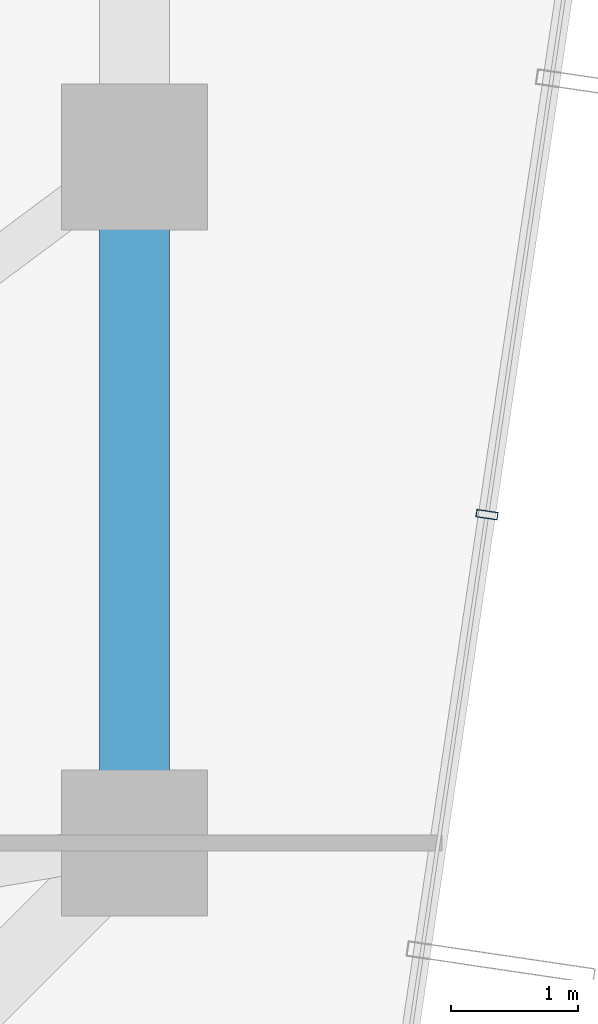
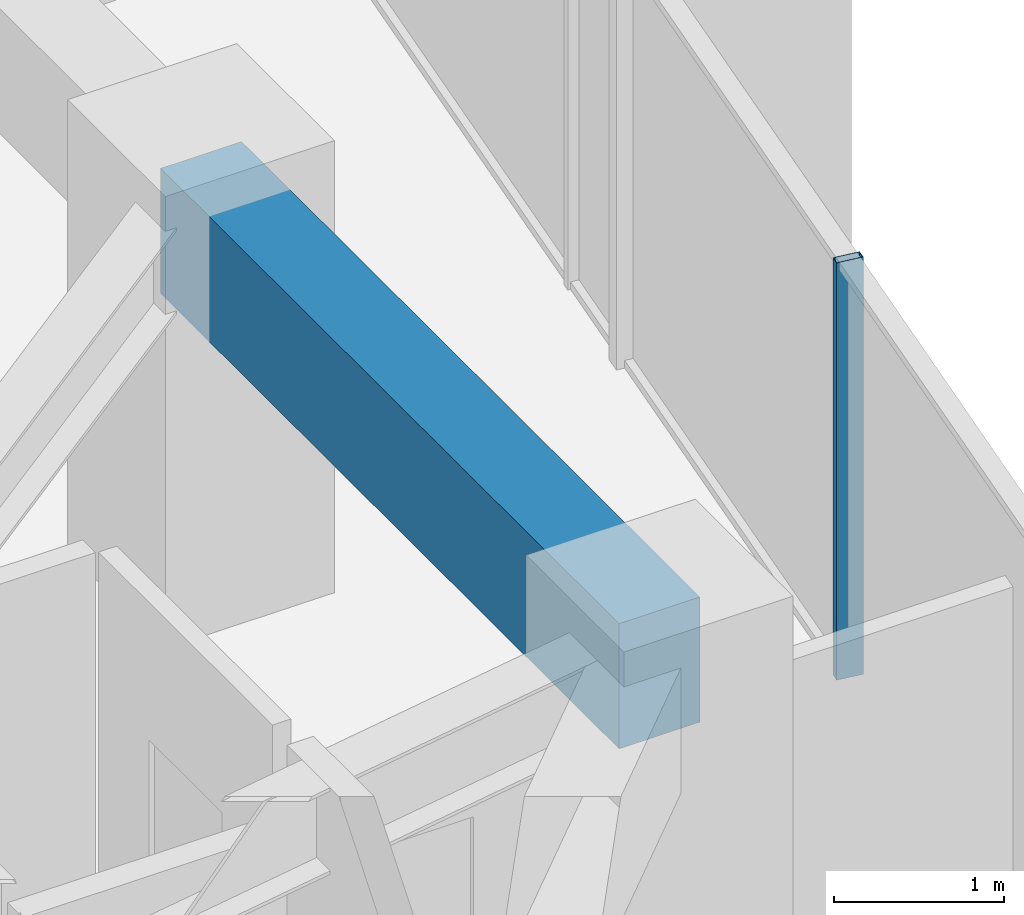
# One storey, part 15 of 29: 1 beam, 1 member, 1 element without a shape of its own.
"""IFC4 building model written with IfcOpenShell, lengths in metres."""

from ifc_helpers import new_model, si_unit, direction, frame, origin, origin_2d, place, context, subcontext, project, spatial, rectangle, hollow_rectangle, extrude, source, transform, mapped, material, layer, layer_set, material_profile, profile_set, type_object, element, aggregate, save


model = new_model("IFC4")

# Units and contexts
model_context = context("Model", 3, precision=1e-05, world=origin(), true_north=direction((0.0, 1.0)))
body_context = subcontext(model_context, "Body", "Model", "MODEL_VIEW")
ifc_project = project(units=[si_unit("LENGTHUNIT", "METRE"), si_unit("AREAUNIT", "SQUARE_METRE"), si_unit("VOLUMEUNIT", "CUBIC_METRE"), si_unit("PLANEANGLEUNIT", "RADIAN"), si_unit("MASSUNIT", "GRAM", prefix="KILO")], contexts=[model_context])

# Site, building, storey
site_placement = place(None, origin())
site = spatial("IfcSite", under=ifc_project, at=site_placement, CompositionType="ELEMENT")
building_placement = place(site_placement, origin())
building = spatial("IfcBuilding", under=site, at=building_placement, Name="Veraguas Prism Commons", CompositionType="ELEMENT")
storey_placement = place(building_placement, frame((0.0, 0.0, 99.199951171875)))
storey = spatial("IfcBuildingStorey", under=building, at=storey_placement, Name="L27", CompositionType="ELEMENT", Elevation=99.199951171875)

# Beam
ifc_material_1 = material(Name="Concrete C50/60", Category="concrete")
ifc_material_profile_1 = material_profile(ifc_material_1, rectangle(XDim=0.550048828125, YDim=0.89990234375, at=origin_2d()), Name="RC550X900")
ifc_profile_set_1 = profile_set([ifc_material_profile_1], Name="Concrete C50/60")
beam_type = type_object("IfcBeamType", Name="Perimeter Spandrel Lower RC 550x900", PredefinedType="SPANDREL", material=ifc_profile_set_1)
beam_placement = place(storey_placement, frame((40.199951171875, 18.60009765625, 2.550048828125), z_axis=(0.0, 1.0, 0.0), x_axis=(-1.0, 0.0, 0.0)))
element("IfcBeam", 1, at=beam_placement, inside=storey, type_object=beam_type, Name="Perimeter Spandrel Beam L27-SP01", PredefinedType="SPANDREL", context=body_context, shape_type="SweptSolid", body=[
    extrude(rectangle(XDim=0.550048828125, YDim=0.89990234375, at=origin_2d()), origin(), (0.0, 0.0, 1.0), 5.39990234375),
])

# Curtain wall, member
ifc_material_2 = material(Name="Anodised aluminium EN AW-6063 T6", Category="aluminium")
ifc_layer = layer(ifc_material_2, 0.169921875, Name="Unitised Flush Curtain Wall Zone 2", Category="aluminium")
ifc_layer_set = layer_set([ifc_layer], Name="Anodised aluminium EN AW-6063 T6")
curtain_wall_type = type_object("IfcCurtainWallType", Name="Unitised Flush Curtain Wall Zone 2", PredefinedType="NOTDEFINED", material=ifc_layer_set)
curtain_wall_placement = place(storey_placement, origin())
curtain_wall = element("IfcCurtainWall", 2, at=curtain_wall_placement, inside=storey, type_object=curtain_wall_type, Name="Tower Facade Curtain Wall L27-F6", PredefinedType="NOTDEFINED")
ifc_material_profile_2 = material_profile(ifc_material_2, hollow_rectangle(XDim=0.06005859375, YDim=0.169921875, WallThickness=0.00390625, at=origin_2d()), Name="AL60X170X4")
ifc_profile_set_2 = profile_set([ifc_material_profile_2], Name="Anodised aluminium EN AW-6063 T6")
member_type = type_object("IfcMemberType", Name="Curtain Wall Mullion Lower AL 60x170x4", PredefinedType="MULLION", material=ifc_profile_set_2)
shared_shape = source(origin(), body_context, "Body", "SweptSolid", [
    extrude(hollow_rectangle(XDim=0.06005859375, YDim=0.169921875, WallThickness=0.00390625, at=origin_2d()), origin(), (0.0, 0.0, 1.0), 3.0),
])
member_placement = place(storey_placement, frame((42.974609375, 21.1845703125, 0.0), z_axis=(0.0, 0.0, 1.0), x_axis=(0.146777088137, 0.989169594356, 0.0)))
member = element("IfcMember", 3, at=member_placement, type_object=member_type, Name="CW-Z2 Mullion 3", PredefinedType="MULLION", context=body_context, shape_type="MappedRepresentation", body=[
    mapped(shared_shape, transform((0.0, 0.0, 0.0), scale=1.0)),
])
aggregate(curtain_wall, [member])

save(model, "model.ifc")
